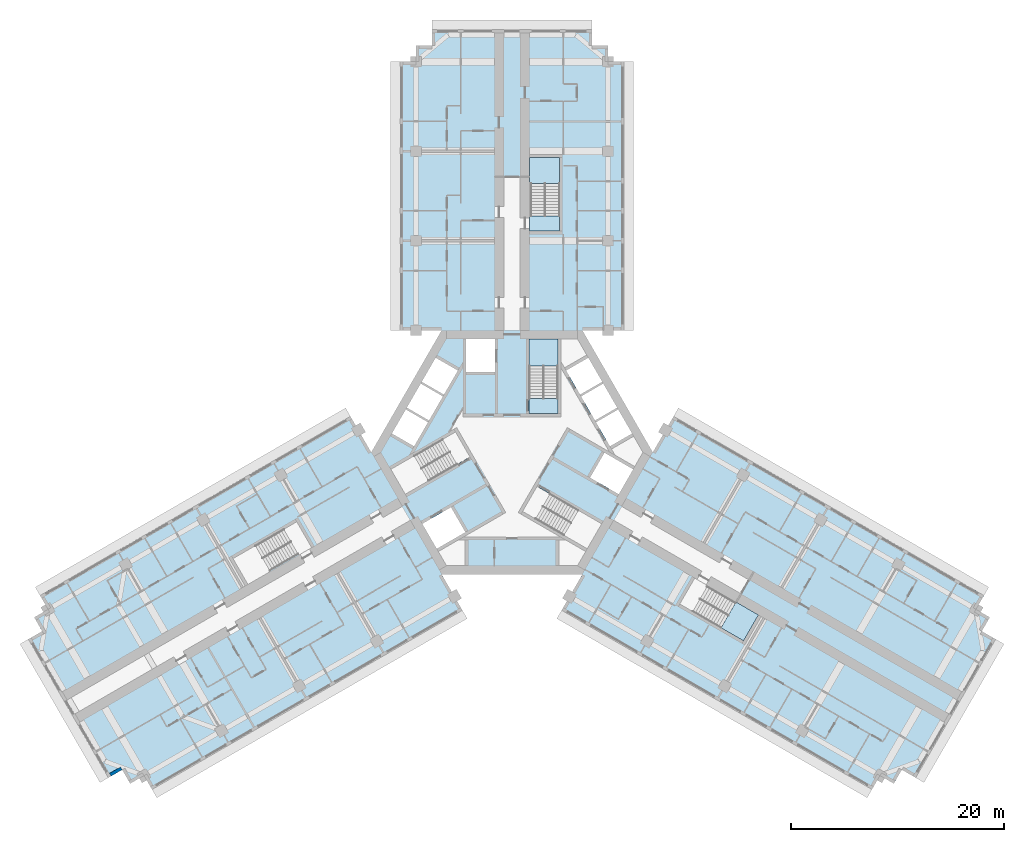
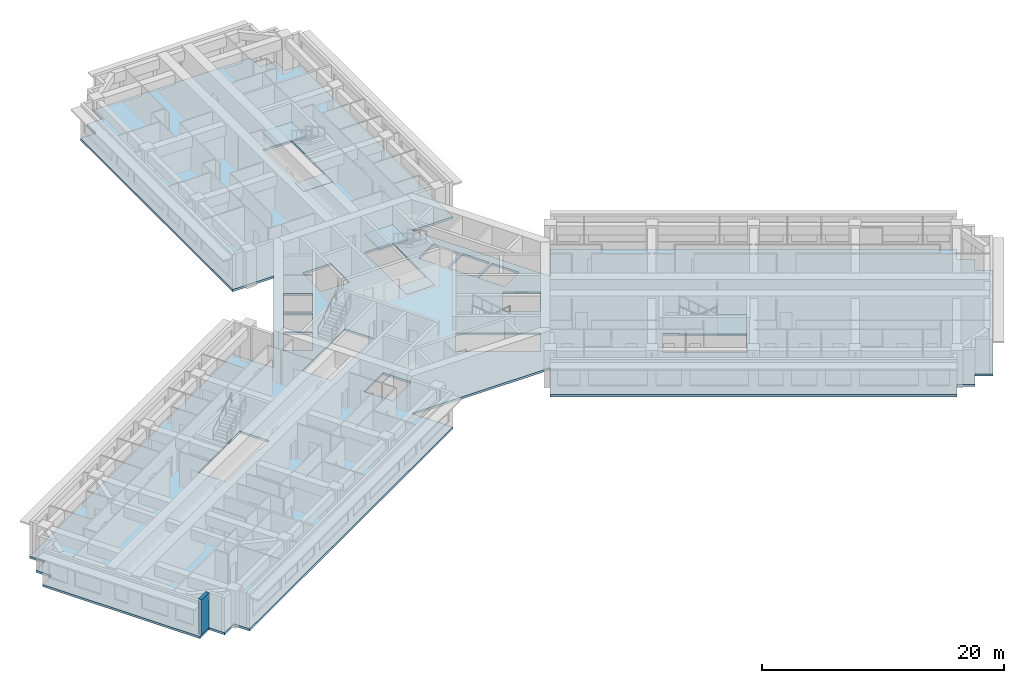
# One storey, part 2 of 14: 6 slabs, 1 wall, 3 elements without a shape of their own.
"""IFC4 building model written with IfcOpenShell, lengths in metres."""

from ifc_helpers import new_model, si_unit, direction, frame, frame_2d, origin, place, context, subcontext, project, spatial, polyline, rectangle, outline, extrude, material, layer, layer_set, type_object, element, aggregate, save


model = new_model("IFC4")

# Units and contexts
model_context = context("Model", 3, precision=1e-05, world=origin(), true_north=direction((0.0, 1.0)))
body_context = subcontext(model_context, "Body", "Model", "MODEL_VIEW")
ifc_project = project(units=[si_unit("LENGTHUNIT", "METRE"), si_unit("AREAUNIT", "SQUARE_METRE"), si_unit("VOLUMEUNIT", "CUBIC_METRE"), si_unit("PLANEANGLEUNIT", "RADIAN"), si_unit("MASSUNIT", "GRAM", prefix="KILO")], contexts=[model_context])

# Site, building, storey
site_placement = place(None, origin())
site = spatial("IfcSite", under=ifc_project, at=site_placement, CompositionType="ELEMENT")
building_placement = place(site_placement, origin())
building = spatial("IfcBuilding", under=site, at=building_placement, Name="Impinga Residences", CompositionType="ELEMENT")
storey_placement = place(building_placement, frame((0.0, 0.0, 128.5)))
storey = spatial("IfcBuildingStorey", under=building, at=storey_placement, Name="L31", CompositionType="ELEMENT", Elevation=128.5)

# Slab
ifc_material_1 = material(Name="Concrete C60/75", Category="concrete")
ifc_layer_1 = layer(ifc_material_1, 0.219970703125)
ifc_layer_set_1 = layer_set([ifc_layer_1], Name="Concrete C60/75")
slab_type_1 = type_object("IfcSlabType", Name="FS1 tower floor slab 220", PredefinedType="FLOOR", material=ifc_layer_set_1)
slab_1_placement = place(storey_placement, frame((0.0, 0.0, -0.219970703125)))
element("IfcSlab", 1, at=slab_1_placement, inside=storey, type_object=slab_type_1, Name="Floor slab FS1 L31", PredefinedType="FLOOR", context=body_context, shape_type="SweptSolid", body=[
    extrude(outline(polyline([(-34.49853515625, -30.31005859375), (-35.797607421875, -31.06005859375), (-36.547607421875, -29.760986328125), (-37.846435546875, -30.510986328125), (-45.346435546875, -17.5205078125), (-44.047607421875, -16.7705078125), (-44.797607421875, -15.471435546875), (-43.49853515625, -14.721435546875), (-44.24853515625, -13.422607421875), (-15.14990234375, 3.37744140625), (-13.199951171875, 0.0), (-6.60009765625, 11.431640625), (-10.5, 11.431640625), (-10.5, 36.631591796875), (-9.0, 36.631591796875), (-9.0, 38.131591796875), (-7.5, 38.131591796875), (-7.5, 39.631591796875), (7.5, 39.631591796875), (7.5, 38.131591796875), (9.0, 38.131591796875), (9.0, 36.631591796875), (10.5, 36.631591796875), (10.5, 11.431640625), (6.60009765625, 11.431640625), (13.199951171875, 0.0), (15.14990234375, 3.37744140625), (44.24853515625, -13.422607421875), (43.49853515625, -14.721435546875), (44.797607421875, -15.471435546875), (44.047607421875, -16.7705078125), (45.346435546875, -17.5205078125), (37.846435546875, -30.510986328125), (36.547607421875, -29.760986328125), (35.797607421875, -31.06005859375), (34.49853515625, -30.31005859375), (33.74853515625, -31.609130859375), (4.64990234375, -14.80908203125), (9.900146484375, -5.7158203125), (6.60009765625, -11.431640625), (-6.60009765625, -11.431640625), (-9.900146484375, -5.7158203125), (-4.64990234375, -14.80908203125), (-33.74853515625, -31.609130859375), (-34.49853515625, -30.31005859375)]), holes=[polyline([(-18.779052734375, -8.936767578125), (-18.8291015625, -8.850341796875), (-18.8291015625, -8.850341796875), (-20.178955078125, -6.511962890625), (-21.391357421875, -7.2119140625), (-21.391357421875, -7.2119140625), (-26.154541015625, -9.9619140625), (-24.8046875, -12.30029296875), (-20.04150390625, -9.55029296875), (-19.991455078125, -9.63671875), (-18.779052734375, -8.936767578125)]), polyline([(-4.37109375, -7.489013671875), (-5.72119140625, -5.150634765625), (-8.4072265625, -6.701416015625), (-7.05712890625, -9.039794921875), (-4.37109375, -7.489013671875)]), polyline([(-3.943603515625, -0.429443359375), (-5.293701171875, 1.908935546875), (-11.357177734375, -1.591796875), (-10.007080078125, -3.93017578125), (-3.943603515625, -0.429443359375)]), polyline([(-7.878662109375, 2.816650390625), (-9.957275390625, 4.016845703125), (-11.257080078125, 1.76513671875), (-9.1787109375, 0.56494140625), (-7.878662109375, 2.816650390625)]), polyline([(-6.478759765625, 5.24169921875), (-8.55712890625, 6.441650390625), (-9.857177734375, 4.18994140625), (-7.77880859375, 2.989990234375), (-6.478759765625, 5.24169921875)]), polyline([(4.300048828125, 3.6298828125), (4.300048828125, 10.631591796875), (1.60009765625, 10.631591796875), (1.60009765625, 3.6298828125), (4.300048828125, 3.6298828125)]), polyline([(-6.378662109375, 5.414794921875), (-5.07861328125, 7.66650390625), (-7.1572265625, 8.866455078125), (-8.457275390625, 6.61474609375), (-6.378662109375, 5.414794921875)]), polyline([(-4.300048828125, 7.530029296875), (-1.60009765625, 7.530029296875), (-1.60009765625, 10.631591796875), (-4.300048828125, 10.631591796875), (-4.300048828125, 7.530029296875)]), polyline([(4.449951171875, 20.7314453125), (4.449951171875, 22.131591796875), (4.449951171875, 27.631591796875), (1.75, 27.631591796875), (1.75, 22.131591796875), (1.64990234375, 22.131591796875), (1.64990234375, 20.7314453125), (1.75, 20.7314453125), (4.449951171875, 20.7314453125)]), polyline([(15.72900390625, -14.219482421875), (21.70458984375, -17.669677734375), (23.0546875, -15.331298828125), (18.29150390625, -12.581298828125), (18.341552734375, -12.49462890625), (17.129150390625, -11.794677734375), (15.72900390625, -14.219482421875)]), polyline([(2.34375, -3.20068359375), (0.99365234375, -5.538818359375), (7.05712890625, -9.039794921875), (8.4072265625, -6.701416015625), (2.34375, -3.20068359375)]), polyline([(7.3212890625, -2.37939453125), (10.007080078125, -3.93017578125), (11.357177734375, -1.591796875), (8.671142578125, -0.041015625), (7.3212890625, -2.37939453125)]), polyline([(7.878662109375, 2.816650390625), (9.1787109375, 0.56494140625), (11.257080078125, 1.76513671875), (9.957275390625, 4.016845703125), (7.878662109375, 2.816650390625)]), polyline([(6.478759765625, 5.24169921875), (7.77880859375, 2.989990234375), (9.857177734375, 4.18994140625), (8.55712890625, 6.441650390625), (6.478759765625, 5.24169921875)]), polyline([(6.378662109375, 5.414794921875), (8.457275390625, 6.61474609375), (7.1572265625, 8.866455078125), (5.07861328125, 7.66650390625), (6.378662109375, 5.414794921875)])]), origin(), (0.0, 0.0, 1.0), 0.219970703125),
])

# Stair, slabs
ifc_material_2 = material(Name="Concrete C40/50", Category="concrete")
stair_type_1 = type_object("IfcStairType", Name="STR core stair 3750 storey, 24 risers", PredefinedType="HALF_TURN_STAIR", material=ifc_material_2)
stair_1_placement = place(storey_placement, origin())
stair_1 = element("IfcStair", 2, at=stair_1_placement, inside=storey, type_object=stair_type_1, Name="Stair ST1 L31", PredefinedType="HALF_TURN_STAIR")
ifc_layer_2 = layer(ifc_material_2, 0.199951171875)
ifc_layer_set_2 = layer_set([ifc_layer_2], Name="Concrete C40/50")
slab_type_2 = type_object("IfcSlabType", Name="LS1 stair landing 200", PredefinedType="LANDING", material=ifc_layer_set_2)
slab_2_placement = place(storey_placement, frame((0.0, 0.0, -0.199951171875)))
slab_2 = element("IfcSlab", 3, at=slab_2_placement, type_object=slab_type_2, Name="ST1 landing 1", PredefinedType="LANDING", context=body_context, shape_type="SweptSolid", body=[
    extrude(outline(polyline([(1.60009765625, 3.6298828125), (4.300048828125, 3.6298828125), (4.300048828125, 5.0400390625), (1.60009765625, 5.0400390625), (1.60009765625, 3.6298828125)])), origin(), (0.0, 0.0, 1.0), 0.199951171875),
])
slab_3_placement = place(storey_placement, frame((0.0, 0.0, 1.675048828125)))
slab_3 = element("IfcSlab", 4, at=slab_3_placement, type_object=slab_type_2, Name="ST1 landing 2", PredefinedType="LANDING", context=body_context, shape_type="SweptSolid", body=[
    extrude(outline(polyline([(1.60009765625, 8.10009765625), (4.300048828125, 8.10009765625), (4.300048828125, 10.631591796875), (1.60009765625, 10.631591796875), (1.60009765625, 8.10009765625)])), origin(), (0.0, 0.0, 1.0), 0.199951171875),
])
aggregate(stair_1, [slab_2, slab_3])

stair_type_2 = type_object("IfcStairType", Name="STR wing stair 3750 storey, 24 risers", PredefinedType="HALF_TURN_STAIR", material=ifc_material_2)
stair_2_placement = place(storey_placement, origin())
stair_2 = element("IfcStair", 5, at=stair_2_placement, inside=storey, type_object=stair_type_2, Name="Stair WS1 L31", PredefinedType="HALF_TURN_STAIR")
slab_4_placement = place(storey_placement, frame((0.0, 0.0, -0.199951171875)))
slab_4 = element("IfcSlab", 6, at=slab_4_placement, type_object=slab_type_2, Name="WS1 landing 1", PredefinedType="LANDING", context=body_context, shape_type="SweptSolid", body=[
    extrude(outline(polyline([(1.64990234375, 20.7314453125), (4.449951171875, 20.7314453125), (4.449951171875, 22.1416015625), (1.64990234375, 22.1416015625), (1.64990234375, 20.7314453125)])), origin(), (0.0, 0.0, 1.0), 0.199951171875),
])
slab_5_placement = place(storey_placement, frame((0.0, 0.0, 1.675048828125)))
slab_5 = element("IfcSlab", 7, at=slab_5_placement, type_object=slab_type_2, Name="WS1 landing 2", PredefinedType="LANDING", context=body_context, shape_type="SweptSolid", body=[
    extrude(outline(polyline([(1.64990234375, 25.201416015625), (4.449951171875, 25.201416015625), (4.449951171875, 27.631591796875), (1.64990234375, 27.631591796875), (1.64990234375, 25.201416015625)])), origin(), (0.0, 0.0, 1.0), 0.199951171875),
])
aggregate(stair_2, [slab_4, slab_5])

# Stair, slab
stair_3_placement = place(storey_placement, origin())
stair_3 = element("IfcStair", 8, at=stair_3_placement, inside=storey, type_object=stair_type_2, Name="Stair WS3 L31", PredefinedType="HALF_TURN_STAIR")
slab_6_placement = place(storey_placement, frame((0.0, 0.0, 1.675048828125)))
slab_6 = element("IfcSlab", 9, at=slab_6_placement, type_object=slab_type_2, Name="WS3 landing 2", PredefinedType="LANDING", context=body_context, shape_type="SweptSolid", body=[
    extrude(outline(polyline([(21.000244140625, -14.02978515625), (19.60009765625, -16.45458984375), (21.70458984375, -17.669677734375), (23.1044921875, -15.24462890625), (21.000244140625, -14.02978515625)])), origin(), (0.0, 0.0, 1.0), 0.199951171875),
])
aggregate(stair_3, [slab_6])

# Wall
ifc_material_3 = material(Name="Terracotta rainscreen on blockwork", Category="masonry")
ifc_layer_3 = layer(ifc_material_3, 0.300048828125)
ifc_layer_set_3 = layer_set([ifc_layer_3], Name="EW1 external wall, terracotta rainscreen on blockwork 300")
wall_type = type_object("IfcWallType", Name="EW1 external wall, terracotta rainscreen on blockwork 300", PredefinedType="SOLIDWALL", material=ifc_layer_set_3)
wall_placement = place(storey_placement, frame((-36.626708984375, -29.633544921875, 0.0), z_axis=(0.0, 0.0, 1.0), x_axis=(-0.866059708757, -0.499940577336, 0.0)))
element("IfcWall", 10, at=wall_placement, inside=storey, type_object=wall_type, Name="External wall EW1 L31", PredefinedType="SOLIDWALL", context=body_context, shape_type="SweptSolid", body=[
    extrude(rectangle(XDim=1.195068359375, YDim=0.300048828125, at=frame_2d((0.59765625, 0.0))), origin(), (0.0, 0.0, 1.0), 3.530029296875),
])

save(model, "model.ifc")
